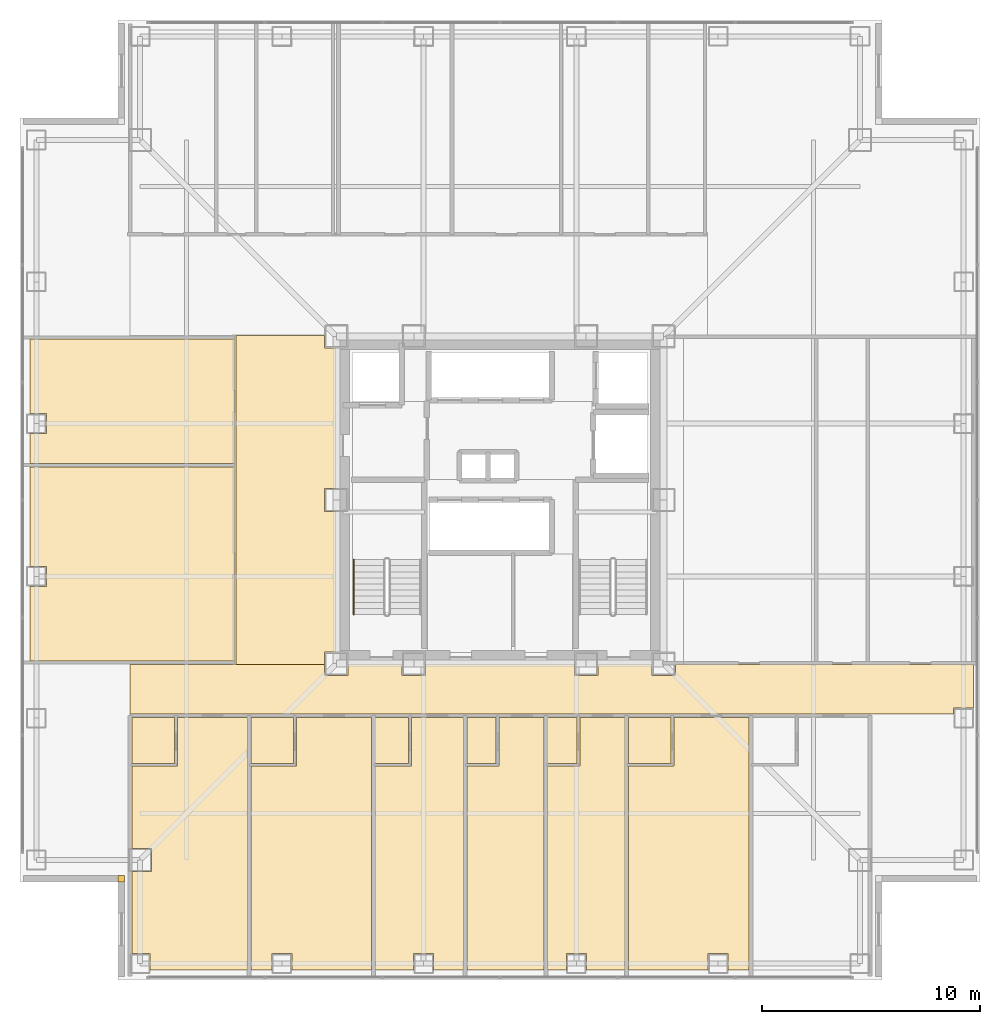
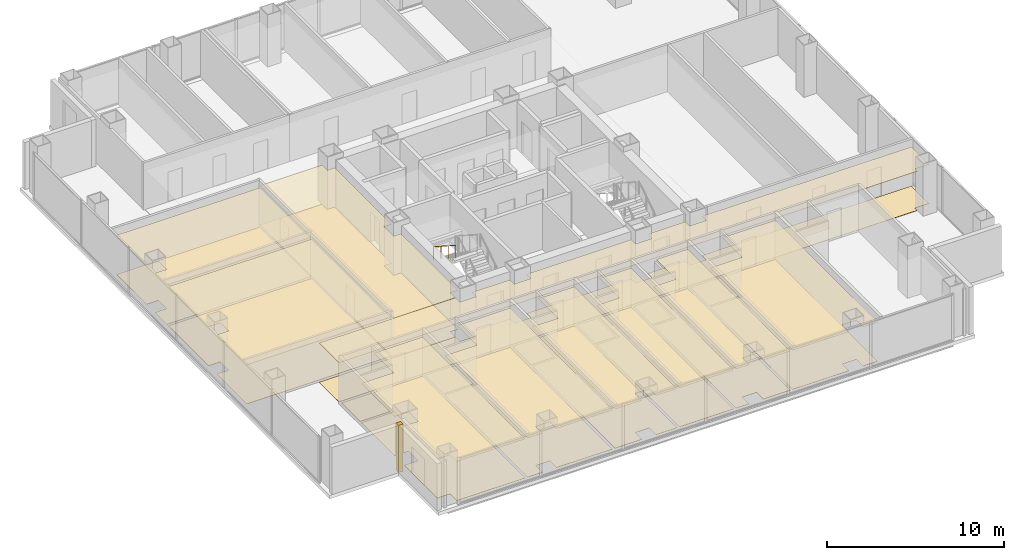
# One storey, part 16 of 18: 27 coverings, 1 railing.
"""IFC4 building model written with IfcOpenShell, lengths in metres."""

from ifc_helpers import new_model, si_unit, direction, frame, origin, origin_2d, place, context, subcontext, project, spatial, polyline, circle, outline, extrude, material, layer, layer_set, type_object, element, save


model = new_model("IFC4")

# Units and contexts
model_context = context("Model", 3, precision=1e-05, world=origin(), true_north=direction((0.0, 1.0)))
body_context = subcontext(model_context, "Body", "Model", "MODEL_VIEW")
ifc_project = project(units=[si_unit("LENGTHUNIT", "METRE"), si_unit("AREAUNIT", "SQUARE_METRE"), si_unit("VOLUMEUNIT", "CUBIC_METRE"), si_unit("PLANEANGLEUNIT", "RADIAN"), si_unit("MASSUNIT", "GRAM", prefix="KILO")], contexts=[model_context])

# Site, building, storey
site_placement = place(None, origin())
site = spatial("IfcSite", under=ifc_project, at=site_placement, CompositionType="ELEMENT")
building_placement = place(site_placement, origin())
building = spatial("IfcBuilding", under=site, at=building_placement, Name="Trevonay Congress Spire", CompositionType="ELEMENT")
storey_placement = place(building_placement, frame((0.0, 0.0, 151.60009765625)))
storey = spatial("IfcBuildingStorey", under=building, at=storey_placement, Name="L39", CompositionType="ELEMENT", Elevation=151.60009765625)

# Coverings
ifc_material_1 = material(Name="Acoustic Mineral Fibre Board", Category="gypsum")
ifc_layer_1 = layer(ifc_material_1, 0.02490234375, Name="Acoustic Mineral Fibre Board")
ifc_layer_set_1 = layer_set([ifc_layer_1], Name="Acoustic Mineral Fibre Board")
covering_type_1 = type_object("IfcCoveringType", Name="COV-CEIL-ACOUSTIC", PredefinedType="CEILING", material=ifc_layer_set_1)
covering_1_placement = place(storey_placement, frame((0.0, 0.0, 2.699951171875)))
element("IfcCovering", 1, at=covering_1_placement, inside=storey, type_object=covering_type_1, Name="L39 Congress South Spine Corridor acoustic suspended ceiling", PredefinedType="CEILING", context=body_context, shape_type="SweptSolid", body=[
    extrude(outline(polyline([(-16.949951171875, -9.800048828125), (-16.949951171875, -7.550048828125), (-8.034912109375, -7.550048828125), (-8.034912109375, -8.034912109375), (-6.965087890625, -8.034912109375), (-6.965087890625, -7.550048828125), (-4.485107421875, -7.550048828125), (-4.485107421875, -8.034912109375), (-3.4150390625, -8.034912109375), (-3.4150390625, -7.550048828125), (3.4150390625, -7.550048828125), (3.4150390625, -8.034912109375), (4.485107421875, -8.034912109375), (4.485107421875, -7.550048828125), (6.965087890625, -7.550048828125), (6.965087890625, -8.034912109375), (8.034912109375, -8.034912109375), (8.034912109375, -7.550048828125), (21.699951171875, -7.550048828125), (21.699951171875, -9.5400390625), (20.7900390625, -9.5400390625), (20.7900390625, -9.800048828125), (-16.949951171875, -9.800048828125)])), origin(), (0.0, 0.0, 1.0), 0.02490234375),
])
covering_2_placement = place(storey_placement, frame((0.0, 0.0, 2.699951171875)))
element("IfcCovering", 2, at=covering_2_placement, inside=storey, type_object=covering_type_1, Name="L39 West Sky Promenade Salon acoustic suspended ceiling", PredefinedType="CEILING", context=body_context, shape_type="SweptSolid", body=[
    extrude(outline(polyline([(-12.10009765625, 7.550048828125), (-8.034912109375, 7.550048828125), (-8.034912109375, 6.965087890625), (-7.550048828125, 6.965087890625), (-7.550048828125, 0.534912109375), (-8.034912109375, 0.534912109375), (-8.034912109375, -0.534912109375), (-7.550048828125, -0.534912109375), (-7.550048828125, -6.965087890625), (-8.034912109375, -6.965087890625), (-8.034912109375, -7.5400390625), (-12.10009765625, -7.5400390625), (-12.10009765625, 7.550048828125)])), origin(), (0.0, 0.0, 1.0), 0.02490234375),
])
covering_3_placement = place(storey_placement, frame((0.0, 0.0, 2.699951171875)))
element("IfcCovering", 3, at=covering_3_placement, inside=storey, type_object=covering_type_1, Name="L39 Corner Hotel Suite acoustic suspended ceiling", PredefinedType="CEILING", context=body_context, shape_type="SweptSolid", body=[
    extrude(outline(polyline([(-16.8701171875, -12.18994140625), (-14.780029296875, -12.18994140625), (-14.780029296875, -9.9599609375), (-11.580078125, -9.9599609375), (-11.580078125, -21.550048828125), (-16.0400390625, -21.550048828125), (-16.0400390625, -20.7900390625), (-16.8701171875, -20.7900390625), (-16.8701171875, -17.034912109375), (-15.965087890625, -17.034912109375), (-15.965087890625, -15.965087890625), (-16.8701171875, -15.965087890625), (-16.8701171875, -12.18994140625)])), origin(), (0.0, 0.0, 1.0), 0.02490234375),
])
covering_4_placement = place(storey_placement, frame((0.0, 0.0, 2.699951171875)))
element("IfcCovering", 4, at=covering_4_placement, inside=storey, type_object=covering_type_1, Name="L39 Hotel Guest Room acoustic suspended ceiling", PredefinedType="CEILING", context=body_context, shape_type="SweptSolid", body=[
    extrude(outline(polyline([(-11.419921875, -21.550048828125), (-11.419921875, -12.18994140625), (-9.330078125, -12.18994140625), (-9.330078125, -9.9599609375), (-5.8798828125, -9.9599609375), (-5.8798828125, -21.550048828125), (-9.5400390625, -21.550048828125), (-9.5400390625, -20.7900390625), (-10.4599609375, -20.7900390625), (-10.4599609375, -21.550048828125), (-11.419921875, -21.550048828125)])), origin(), (0.0, 0.0, 1.0), 0.02490234375),
])
covering_5_placement = place(storey_placement, frame((0.0, 0.0, 2.699951171875)))
element("IfcCovering", 5, at=covering_5_placement, inside=storey, type_object=covering_type_1, Name="L39 Hotel Guest Room acoustic suspended ceiling", PredefinedType="CEILING", context=body_context, shape_type="SweptSolid", body=[
    extrude(outline(polyline([(-5.719970703125, -21.550048828125), (-5.719970703125, -12.18994140625), (-4.044921875, -12.18994140625), (-4.044921875, -9.9599609375), (-1.679931640625, -9.9599609375), (-1.679931640625, -21.550048828125), (-3.0400390625, -21.550048828125), (-3.0400390625, -20.7900390625), (-3.9599609375, -20.7900390625), (-3.9599609375, -21.550048828125), (-5.719970703125, -21.550048828125)])), origin(), (0.0, 0.0, 1.0), 0.02490234375),
])
covering_6_placement = place(storey_placement, frame((0.0, 0.0, 2.699951171875)))
element("IfcCovering", 6, at=covering_6_placement, inside=storey, type_object=covering_type_1, Name="L39 Hotel Guest Room acoustic suspended ceiling", PredefinedType="CEILING", context=body_context, shape_type="SweptSolid", body=[
    extrude(outline(polyline([(-1.52001953125, -21.550048828125), (2.02001953125, -21.550048828125), (2.02001953125, -9.9599609375), (-0.034912109375, -9.9599609375), (-0.034912109375, -12.18994140625), (-1.52001953125, -12.18994140625), (-1.52001953125, -21.550048828125)])), origin(), (0.0, 0.0, 1.0), 0.02490234375),
])
covering_7_placement = place(storey_placement, frame((0.0, 0.0, 2.699951171875)))
element("IfcCovering", 7, at=covering_7_placement, inside=storey, type_object=covering_type_1, Name="L39 Hotel Guest Room acoustic suspended ceiling", PredefinedType="CEILING", context=body_context, shape_type="SweptSolid", body=[
    extrude(outline(polyline([(2.179931640625, -21.550048828125), (2.179931640625, -12.18994140625), (3.6650390625, -12.18994140625), (3.6650390625, -9.9599609375), (5.719970703125, -9.9599609375), (5.719970703125, -21.550048828125), (3.9599609375, -21.550048828125), (3.9599609375, -20.7900390625), (3.0400390625, -20.7900390625), (3.0400390625, -21.550048828125), (2.179931640625, -21.550048828125)])), origin(), (0.0, 0.0, 1.0), 0.02490234375),
])
covering_8_placement = place(storey_placement, frame((0.0, 0.0, 2.699951171875)))
element("IfcCovering", 8, at=covering_8_placement, inside=storey, type_object=covering_type_1, Name="L39 Corner Hotel Suite acoustic suspended ceiling", PredefinedType="CEILING", context=body_context, shape_type="SweptSolid", body=[
    extrude(outline(polyline([(5.8798828125, -21.550048828125), (5.8798828125, -12.18994140625), (7.969970703125, -12.18994140625), (7.969970703125, -9.9599609375), (11.419921875, -9.9599609375), (11.419921875, -21.550048828125), (10.4599609375, -21.550048828125), (10.4599609375, -20.7900390625), (9.5400390625, -20.7900390625), (9.5400390625, -21.550048828125), (5.8798828125, -21.550048828125)])), origin(), (0.0, 0.0, 1.0), 0.02490234375),
])
covering_9_placement = place(storey_placement, frame((0.0, 0.0, 2.699951171875)))
element("IfcCovering", 9, at=covering_9_placement, inside=storey, type_object=covering_type_1, Name="L39 Chief Negotiator Office acoustic suspended ceiling", PredefinedType="CEILING", context=body_context, shape_type="SweptSolid", body=[
    extrude(outline(polyline([(-21.550048828125, 1.52001953125), (-12.179931640625, 1.52001953125), (-12.179931640625, -7.3701171875), (-21.550048828125, -7.3701171875), (-21.550048828125, -3.9599609375), (-20.7900390625, -3.9599609375), (-20.7900390625, -3.0400390625), (-21.550048828125, -3.0400390625), (-21.550048828125, 1.52001953125)])), origin(), (0.0, 0.0, 1.0), 0.02490234375),
])
covering_10_placement = place(storey_placement, frame((0.0, 0.0, 2.699951171875)))
element("IfcCovering", 10, at=covering_10_placement, inside=storey, type_object=covering_type_1, Name="L39 Diplomatic Cipher Office acoustic suspended ceiling", PredefinedType="CEILING", context=body_context, shape_type="SweptSolid", body=[
    extrude(outline(polyline([(-21.550048828125, 7.3701171875), (-12.179931640625, 7.3701171875), (-12.179931640625, 1.679931640625), (-21.550048828125, 1.679931640625), (-21.550048828125, 3.0400390625), (-20.7900390625, 3.0400390625), (-20.7900390625, 3.9599609375), (-21.550048828125, 3.9599609375), (-21.550048828125, 7.3701171875)])), origin(), (0.0, 0.0, 1.0), 0.02490234375),
])
ifc_material_2 = material(Name="Polished Granite Floor Tile", Category="masonry")
ifc_layer_2 = layer(ifc_material_2, 0.02001953125, Name="Polished Granite Floor Tile")
ifc_layer_set_2 = layer_set([ifc_layer_2], Name="Polished Granite Floor Tile")
covering_type_2 = type_object("IfcCoveringType", Name="COV-FLOOR-STONE", PredefinedType="FLOORING", material=ifc_layer_set_2)
covering_11_placement = place(storey_placement, origin())
element("IfcCovering", 11, at=covering_11_placement, inside=storey, type_object=covering_type_2, Name="L39 Congress South Spine Corridor floor finish", PredefinedType="FLOORING", context=body_context, shape_type="SweptSolid", body=[
    extrude(outline(polyline([(-16.949951171875, -9.800048828125), (-16.949951171875, -7.550048828125), (-8.034912109375, -7.550048828125), (-8.034912109375, -8.034912109375), (-6.965087890625, -8.034912109375), (-6.965087890625, -7.550048828125), (-4.485107421875, -7.550048828125), (-4.485107421875, -8.034912109375), (-3.4150390625, -8.034912109375), (-3.4150390625, -7.550048828125), (3.4150390625, -7.550048828125), (3.4150390625, -8.034912109375), (4.485107421875, -8.034912109375), (4.485107421875, -7.550048828125), (6.965087890625, -7.550048828125), (6.965087890625, -8.034912109375), (8.034912109375, -8.034912109375), (8.034912109375, -7.550048828125), (21.699951171875, -7.550048828125), (21.699951171875, -9.5400390625), (20.7900390625, -9.5400390625), (20.7900390625, -9.800048828125), (-16.949951171875, -9.800048828125)])), origin(), (0.0, 0.0, 1.0), 0.02001953125),
])
covering_12_placement = place(storey_placement, origin())
element("IfcCovering", 12, at=covering_12_placement, inside=storey, type_object=covering_type_2, Name="L39 En-suite Bathroom floor finish", PredefinedType="FLOORING", context=body_context, shape_type="SweptSolid", body=[
    extrude(outline(polyline([(-16.8701171875, -12.070068359375), (-14.919921875, -12.070068359375), (-14.919921875, -9.9599609375), (-16.8701171875, -9.9599609375), (-16.8701171875, -12.070068359375)])), origin(), (0.0, 0.0, 1.0), 0.02001953125),
])
covering_13_placement = place(storey_placement, origin())
element("IfcCovering", 13, at=covering_13_placement, inside=storey, type_object=covering_type_2, Name="L39 En-suite Bathroom floor finish", PredefinedType="FLOORING", context=body_context, shape_type="SweptSolid", body=[
    extrude(outline(polyline([(-11.419921875, -12.070068359375), (-9.469970703125, -12.070068359375), (-9.469970703125, -9.9599609375), (-11.419921875, -9.9599609375), (-11.419921875, -12.070068359375)])), origin(), (0.0, 0.0, 1.0), 0.02001953125),
])
covering_14_placement = place(storey_placement, origin())
element("IfcCovering", 14, at=covering_14_placement, inside=storey, type_object=covering_type_2, Name="L39 En-suite Bathroom floor finish", PredefinedType="FLOORING", context=body_context, shape_type="SweptSolid", body=[
    extrude(outline(polyline([(-5.719970703125, -12.070068359375), (-4.18505859375, -12.070068359375), (-4.18505859375, -9.9599609375), (-5.719970703125, -9.9599609375), (-5.719970703125, -12.070068359375)])), origin(), (0.0, 0.0, 1.0), 0.02001953125),
])
covering_15_placement = place(storey_placement, origin())
element("IfcCovering", 15, at=covering_15_placement, inside=storey, type_object=covering_type_2, Name="L39 En-suite Bathroom floor finish", PredefinedType="FLOORING", context=body_context, shape_type="SweptSolid", body=[
    extrude(outline(polyline([(-1.52001953125, -12.070068359375), (-0.175048828125, -12.070068359375), (-0.175048828125, -9.9599609375), (-1.52001953125, -9.9599609375), (-1.52001953125, -12.070068359375)])), origin(), (0.0, 0.0, 1.0), 0.02001953125),
])
covering_16_placement = place(storey_placement, origin())
element("IfcCovering", 16, at=covering_16_placement, inside=storey, type_object=covering_type_2, Name="L39 En-suite Bathroom floor finish", PredefinedType="FLOORING", context=body_context, shape_type="SweptSolid", body=[
    extrude(outline(polyline([(2.179931640625, -12.070068359375), (3.52490234375, -12.070068359375), (3.52490234375, -9.9599609375), (2.179931640625, -9.9599609375), (2.179931640625, -12.070068359375)])), origin(), (0.0, 0.0, 1.0), 0.02001953125),
])
covering_17_placement = place(storey_placement, origin())
element("IfcCovering", 17, at=covering_17_placement, inside=storey, type_object=covering_type_2, Name="L39 En-suite Bathroom floor finish", PredefinedType="FLOORING", context=body_context, shape_type="SweptSolid", body=[
    extrude(outline(polyline([(5.8798828125, -12.070068359375), (7.830078125, -12.070068359375), (7.830078125, -9.9599609375), (5.8798828125, -9.9599609375), (5.8798828125, -12.070068359375)])), origin(), (0.0, 0.0, 1.0), 0.02001953125),
])
ifc_material_3 = material(Name="Engineered Oak Flooring", Category="wood")
ifc_layer_3 = layer(ifc_material_3, 0.01806640625, Name="Engineered Oak Flooring")
ifc_layer_set_3 = layer_set([ifc_layer_3], Name="Engineered Oak Flooring")
covering_type_3 = type_object("IfcCoveringType", Name="COV-FLOOR-TIMBER", PredefinedType="FLOORING", material=ifc_layer_set_3)
covering_18_placement = place(storey_placement, origin())
element("IfcCovering", 18, at=covering_18_placement, inside=storey, type_object=covering_type_3, Name="L39 West Sky Promenade Salon floor finish", PredefinedType="FLOORING", context=body_context, shape_type="SweptSolid", body=[
    extrude(outline(polyline([(-12.10009765625, 7.550048828125), (-8.034912109375, 7.550048828125), (-8.034912109375, 6.965087890625), (-7.550048828125, 6.965087890625), (-7.550048828125, 0.534912109375), (-8.034912109375, 0.534912109375), (-8.034912109375, -0.534912109375), (-7.550048828125, -0.534912109375), (-7.550048828125, -6.965087890625), (-8.034912109375, -6.965087890625), (-8.034912109375, -7.5400390625), (-12.10009765625, -7.5400390625), (-12.10009765625, 7.550048828125)])), origin(), (0.0, 0.0, 1.0), 0.017822265625),
])
covering_19_placement = place(storey_placement, origin())
element("IfcCovering", 19, at=covering_19_placement, inside=storey, type_object=covering_type_3, Name="L39 Corner Hotel Suite floor finish", PredefinedType="FLOORING", context=body_context, shape_type="SweptSolid", body=[
    extrude(outline(polyline([(-16.8701171875, -12.18994140625), (-14.780029296875, -12.18994140625), (-14.780029296875, -9.9599609375), (-11.580078125, -9.9599609375), (-11.580078125, -21.550048828125), (-16.0400390625, -21.550048828125), (-16.0400390625, -20.7900390625), (-16.8701171875, -20.7900390625), (-16.8701171875, -17.034912109375), (-15.965087890625, -17.034912109375), (-15.965087890625, -15.965087890625), (-16.8701171875, -15.965087890625), (-16.8701171875, -12.18994140625)])), origin(), (0.0, 0.0, 1.0), 0.017822265625),
])
covering_20_placement = place(storey_placement, origin())
element("IfcCovering", 20, at=covering_20_placement, inside=storey, type_object=covering_type_3, Name="L39 Hotel Guest Room floor finish", PredefinedType="FLOORING", context=body_context, shape_type="SweptSolid", body=[
    extrude(outline(polyline([(-11.419921875, -21.550048828125), (-11.419921875, -12.18994140625), (-9.330078125, -12.18994140625), (-9.330078125, -9.9599609375), (-5.8798828125, -9.9599609375), (-5.8798828125, -21.550048828125), (-9.5400390625, -21.550048828125), (-9.5400390625, -20.7900390625), (-10.4599609375, -20.7900390625), (-10.4599609375, -21.550048828125), (-11.419921875, -21.550048828125)])), origin(), (0.0, 0.0, 1.0), 0.017822265625),
])
covering_21_placement = place(storey_placement, origin())
element("IfcCovering", 21, at=covering_21_placement, inside=storey, type_object=covering_type_3, Name="L39 Hotel Guest Room floor finish", PredefinedType="FLOORING", context=body_context, shape_type="SweptSolid", body=[
    extrude(outline(polyline([(-5.719970703125, -21.550048828125), (-5.719970703125, -12.18994140625), (-4.044921875, -12.18994140625), (-4.044921875, -9.9599609375), (-1.679931640625, -9.9599609375), (-1.679931640625, -21.550048828125), (-3.0400390625, -21.550048828125), (-3.0400390625, -20.7900390625), (-3.9599609375, -20.7900390625), (-3.9599609375, -21.550048828125), (-5.719970703125, -21.550048828125)])), origin(), (0.0, 0.0, 1.0), 0.017822265625),
])
covering_22_placement = place(storey_placement, origin())
element("IfcCovering", 22, at=covering_22_placement, inside=storey, type_object=covering_type_3, Name="L39 Hotel Guest Room floor finish", PredefinedType="FLOORING", context=body_context, shape_type="SweptSolid", body=[
    extrude(outline(polyline([(-1.52001953125, -21.550048828125), (2.02001953125, -21.550048828125), (2.02001953125, -9.9599609375), (-0.034912109375, -9.9599609375), (-0.034912109375, -12.18994140625), (-1.52001953125, -12.18994140625), (-1.52001953125, -21.550048828125)])), origin(), (0.0, 0.0, 1.0), 0.017822265625),
])
covering_23_placement = place(storey_placement, origin())
element("IfcCovering", 23, at=covering_23_placement, inside=storey, type_object=covering_type_3, Name="L39 Hotel Guest Room floor finish", PredefinedType="FLOORING", context=body_context, shape_type="SweptSolid", body=[
    extrude(outline(polyline([(2.179931640625, -21.550048828125), (2.179931640625, -12.18994140625), (3.6650390625, -12.18994140625), (3.6650390625, -9.9599609375), (5.719970703125, -9.9599609375), (5.719970703125, -21.550048828125), (3.9599609375, -21.550048828125), (3.9599609375, -20.7900390625), (3.0400390625, -20.7900390625), (3.0400390625, -21.550048828125), (2.179931640625, -21.550048828125)])), origin(), (0.0, 0.0, 1.0), 0.017822265625),
])
covering_24_placement = place(storey_placement, origin())
element("IfcCovering", 24, at=covering_24_placement, inside=storey, type_object=covering_type_3, Name="L39 Corner Hotel Suite floor finish", PredefinedType="FLOORING", context=body_context, shape_type="SweptSolid", body=[
    extrude(outline(polyline([(5.8798828125, -21.550048828125), (5.8798828125, -12.18994140625), (7.969970703125, -12.18994140625), (7.969970703125, -9.9599609375), (11.419921875, -9.9599609375), (11.419921875, -21.550048828125), (10.4599609375, -21.550048828125), (10.4599609375, -20.7900390625), (9.5400390625, -20.7900390625), (9.5400390625, -21.550048828125), (5.8798828125, -21.550048828125)])), origin(), (0.0, 0.0, 1.0), 0.017822265625),
])
covering_25_placement = place(storey_placement, origin())
element("IfcCovering", 25, at=covering_25_placement, inside=storey, type_object=covering_type_3, Name="L39 Chief Negotiator Office floor finish", PredefinedType="FLOORING", context=body_context, shape_type="SweptSolid", body=[
    extrude(outline(polyline([(-21.550048828125, 1.52001953125), (-12.179931640625, 1.52001953125), (-12.179931640625, -7.3701171875), (-21.550048828125, -7.3701171875), (-21.550048828125, -3.9599609375), (-20.7900390625, -3.9599609375), (-20.7900390625, -3.0400390625), (-21.550048828125, -3.0400390625), (-21.550048828125, 1.52001953125)])), origin(), (0.0, 0.0, 1.0), 0.017822265625),
])
covering_26_placement = place(storey_placement, origin())
element("IfcCovering", 26, at=covering_26_placement, inside=storey, type_object=covering_type_3, Name="L39 Diplomatic Cipher Office floor finish", PredefinedType="FLOORING", context=body_context, shape_type="SweptSolid", body=[
    extrude(outline(polyline([(-21.550048828125, 7.3701171875), (-12.179931640625, 7.3701171875), (-12.179931640625, 1.679931640625), (-21.550048828125, 1.679931640625), (-21.550048828125, 3.0400390625), (-20.7900390625, 3.0400390625), (-20.7900390625, 3.9599609375), (-21.550048828125, 3.9599609375), (-21.550048828125, 7.3701171875)])), origin(), (0.0, 0.0, 1.0), 0.017822265625),
])
ifc_material_4 = material(Name="Pale Anodised Aluminium EN AW-6063-T6", Category="aluminium")
ifc_layer_4 = layer(ifc_material_4, 0.0400390625, Name="Pale Anodised Aluminium EN AW-6063-T6")
ifc_layer_set_4 = layer_set([ifc_layer_4], Name="Pale Anodised Aluminium EN AW-6063-T6")
covering_type_4 = type_object("IfcCoveringType", Name="COV-SPANDREL-PALE-METAL", PredefinedType="CLADDING", material=ifc_layer_set_4)
covering_27_placement = place(storey_placement, origin())
element("IfcCovering", 27, at=covering_27_placement, inside=storey, type_object=covering_type_4, Name="L39 SW re-entrant notch corner closure trim", PredefinedType="CLADDING", context=body_context, shape_type="SweptSolid", body=[
    extrude(outline(polyline([(-17.5, -17.5), (-17.199951171875, -17.5), (-17.199951171875, -17.199951171875), (-17.5, -17.199951171875), (-17.5, -17.5)])), origin(), (0.0, 0.0, 1.0), 3.25),
])

# Railing
railing_type = type_object("IfcRailingType", Name="RAL-STAIR-HANDRAIL", PredefinedType="HANDRAIL", material=ifc_material_4)
railing_placement = place(storey_placement, frame((-6.699951171875, -2.72998046875, 1.97998046875)))
element("IfcRailing", 28, at=railing_placement, inside=storey, type_object=railing_type, Name="L39 ST-1 stair handrail 2", PredefinedType="HANDRAIL", context=body_context, shape_type="SweptSolid", body=[
    extrude(circle(Radius=0.02392578125, at=origin_2d()), frame((0.0, 0.0, 0.8759765625), z_axis=(0.0, -0.841199657755, 0.540724639528), x_axis=(1.0, 0.0, 0.0)), (0.0, 0.0, 1.0), 2.995849609375),
    extrude(circle(Radius=0.02099609375, at=origin_2d()), origin(), (0.0, 0.0, 1.0), 0.851806640625),
    extrude(circle(Radius=0.02099609375, at=origin_2d()), frame((0.0, -0.840087890625, 0.5400390625)), (0.0, 0.0, 1.0), 0.851806640625),
    extrude(circle(Radius=0.02099609375, at=origin_2d()), frame((0.0, -1.679931640625, 1.079833984375)), (0.0, 0.0, 1.0), 0.851806640625),
    extrude(circle(Radius=0.02099609375, at=origin_2d()), frame((0.0, -2.52001953125, 1.619873046875)), (0.0, 0.0, 1.0), 0.851806640625),
])

save(model, "model.ifc")
